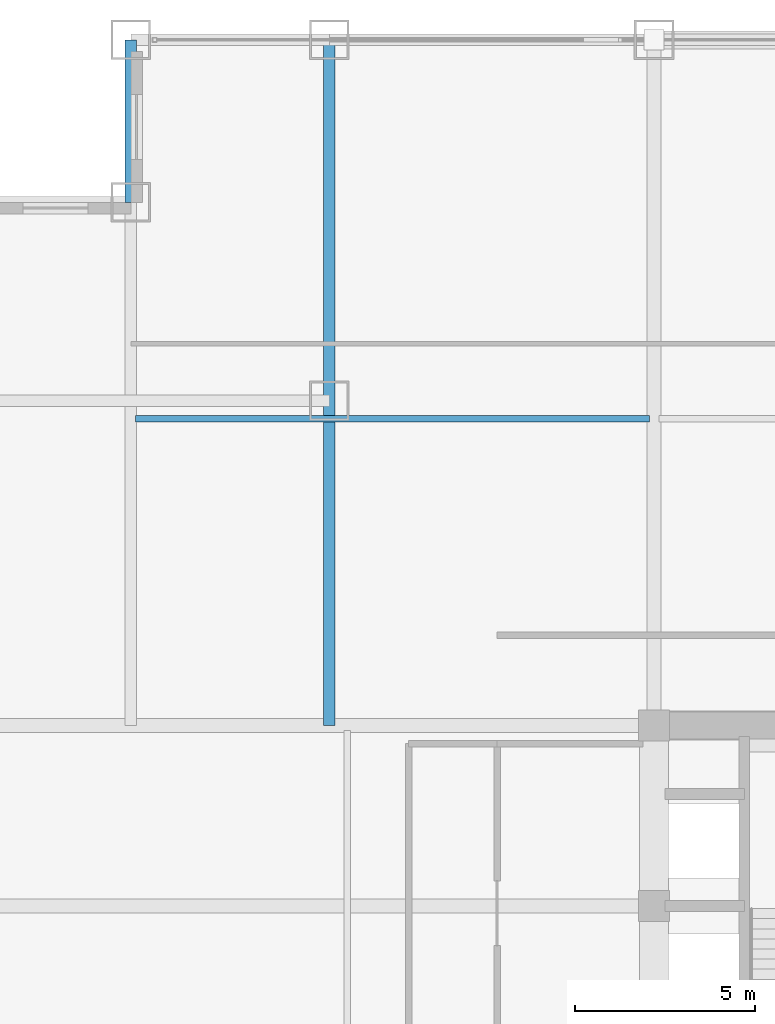
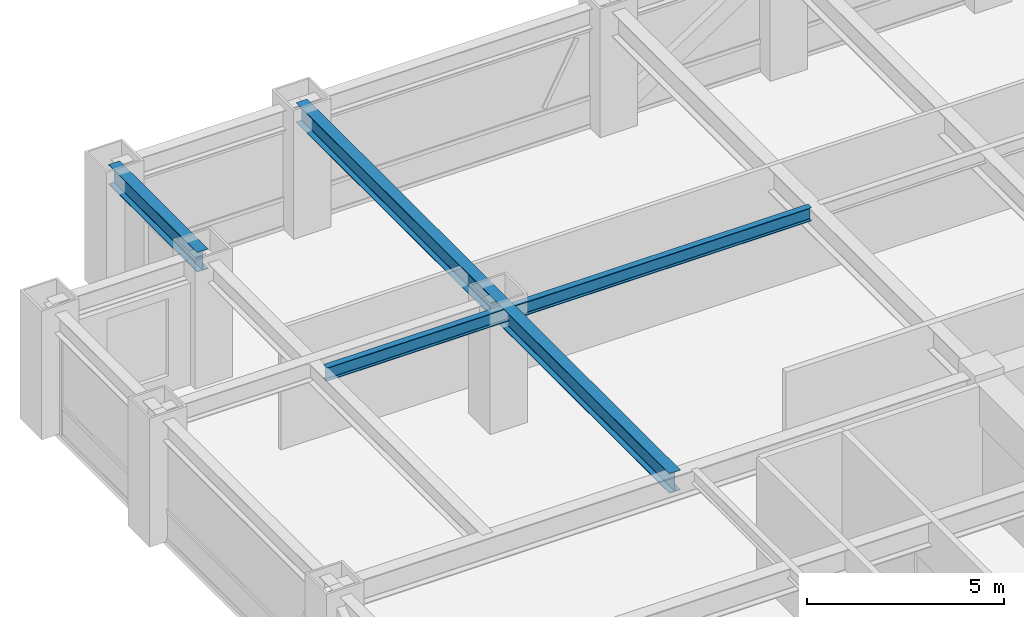
# One storey, part 13 of 25: 3 beams.
"""IFC4 building model written with IfcOpenShell, lengths in metres."""

from ifc_helpers import new_model, si_unit, direction, frame, origin, origin_2d, place, context, subcontext, project, spatial, i_section, extrude, source, transform, mapped, material, material_profile, profile_set, type_object, element, save


model = new_model("IFC4")

# Units and contexts
model_context = context("Model", 3, precision=1e-05, world=origin(), true_north=direction((0.0, 1.0)))
body_context = subcontext(model_context, "Body", "Model", "MODEL_VIEW")
ifc_project = project(units=[si_unit("LENGTHUNIT", "METRE"), si_unit("AREAUNIT", "SQUARE_METRE"), si_unit("VOLUMEUNIT", "CUBIC_METRE"), si_unit("PLANEANGLEUNIT", "RADIAN"), si_unit("MASSUNIT", "GRAM", prefix="KILO")], contexts=[model_context])

# Site, building, storey
site_placement = place(None, origin())
site = spatial("IfcSite", under=ifc_project, at=site_placement, CompositionType="ELEMENT")
building_placement = place(site_placement, origin())
building = spatial("IfcBuilding", under=site, at=building_placement, Name="Khorayat Bourse Tower", CompositionType="ELEMENT")
storey_placement = place(building_placement, frame((0.0, 0.0, 199.10009765625)))
storey = spatial("IfcBuildingStorey", under=building, at=storey_placement, Name="L46", CompositionType="ELEMENT", Elevation=199.10009765625)

# Beams
ifc_material = material(Name="Steel ASTM A992 Grade 50", Category="steel")
ifc_material_profile_1 = material_profile(ifc_material, i_section(OverallWidth=0.324951171875, OverallDepth=0.615966796875, WebThickness=0.013916015625, FlangeThickness=0.021484375, FilletRadius=0.01611328125, at=origin_2d()), Name="W610X174")
ifc_profile_set_1 = profile_set([ifc_material_profile_1], Name="Steel ASTM A992 Grade 50")
beam_type_1 = type_object("IfcBeamType", Name="BM-GIRD-610", PredefinedType="BEAM", material=ifc_profile_set_1)
shared_shape_1 = source(origin(), body_context, "Body", "SweptSolid", [
    extrude(i_section(OverallWidth=0.324951171875, OverallDepth=0.615966796875, WebThickness=0.013916015625, FlangeThickness=0.021484375, FilletRadius=0.01611328125, at=origin_2d()), origin(), (0.0, 0.0, 1.0), 19.0),
])
beam_1_placement = place(storey_placement, frame((-20.0, 11.0, 3.471923828125), z_axis=(0.0, 1.0, 0.0), x_axis=(-1.0, 0.0, 0.0)))
element("IfcBeam", 1, at=beam_1_placement, inside=storey, type_object=beam_type_1, Name="L46 BM-GIRD-610 BM-L46-CNRY-085", PredefinedType="BEAM", context=body_context, shape_type="MappedRepresentation", body=[
    mapped(shared_shape_1, transform((0.0, 0.0, 0.0), scale=1.0)),
])
ifc_material_profile_2 = material_profile(ifc_material, i_section(OverallWidth=0.180908203125, OverallDepth=0.4169921875, WebThickness=0.010986328125, FlangeThickness=0.018310546875, FilletRadius=0.011962890625, at=origin_2d()), Name="W410X85")
ifc_profile_set_2 = profile_set([ifc_material_profile_2], Name="Steel ASTM A992 Grade 50")
beam_type_2 = type_object("IfcBeamType", Name="BM-JOIST-410", PredefinedType="JOIST", material=ifc_profile_set_2)
shared_shape_2 = source(origin(), body_context, "Body", "SweptSolid", [
    extrude(i_section(OverallWidth=0.180908203125, OverallDepth=0.4169921875, WebThickness=0.010986328125, FlangeThickness=0.018310546875, FilletRadius=0.011962890625, at=origin_2d()), origin(), (0.0, 0.0, 1.0), 14.240234375),
])
beam_2_placement = place(storey_placement, frame((-25.3701171875, 19.5, 3.5712890625), z_axis=(1.0, 0.0, 0.0), x_axis=(0.0, 1.0, 0.0)))
element("IfcBeam", 2, at=beam_2_placement, inside=storey, type_object=beam_type_2, Name="L46 BM-JOIST-410 BM-L46-JSTX-099", PredefinedType="JOIST", context=body_context, shape_type="MappedRepresentation", body=[
    mapped(shared_shape_2, transform((0.0, 0.0, 0.0), scale=1.0)),
])
ifc_material_profile_3 = material_profile(ifc_material, i_section(OverallWidth=0.324951171875, OverallDepth=0.615966796875, WebThickness=0.013916015625, FlangeThickness=0.021484375, FilletRadius=0.01611328125, at=origin_2d()), Name="W610X174")
ifc_profile_set_3 = profile_set([ifc_material_profile_3], Name="Steel ASTM A992 Grade 50")
beam_type_3 = type_object("IfcBeamType", Name="BM-SPAN-610", PredefinedType="SPANDREL", material=ifc_profile_set_3)
shared_shape_3 = source(origin(), body_context, "Body", "SweptSolid", [
    extrude(i_section(OverallWidth=0.324951171875, OverallDepth=0.615966796875, WebThickness=0.013916015625, FlangeThickness=0.021484375, FilletRadius=0.01611328125, at=origin_2d()), origin(), (0.0, 0.0, 1.0), 4.5),
])
beam_3_placement = place(storey_placement, frame((-25.5, 25.5, 3.471923828125), z_axis=(0.0, 1.0, 0.0), x_axis=(-1.0, 0.0, 0.0)))
element("IfcBeam", 3, at=beam_3_placement, inside=storey, type_object=beam_type_3, Name="L46 BM-SPAN-610 BM-L46-SPN-052", PredefinedType="SPANDREL", context=body_context, shape_type="MappedRepresentation", body=[
    mapped(shared_shape_3, transform((0.0, 0.0, 0.0), scale=1.0)),
])

save(model, "model.ifc")
